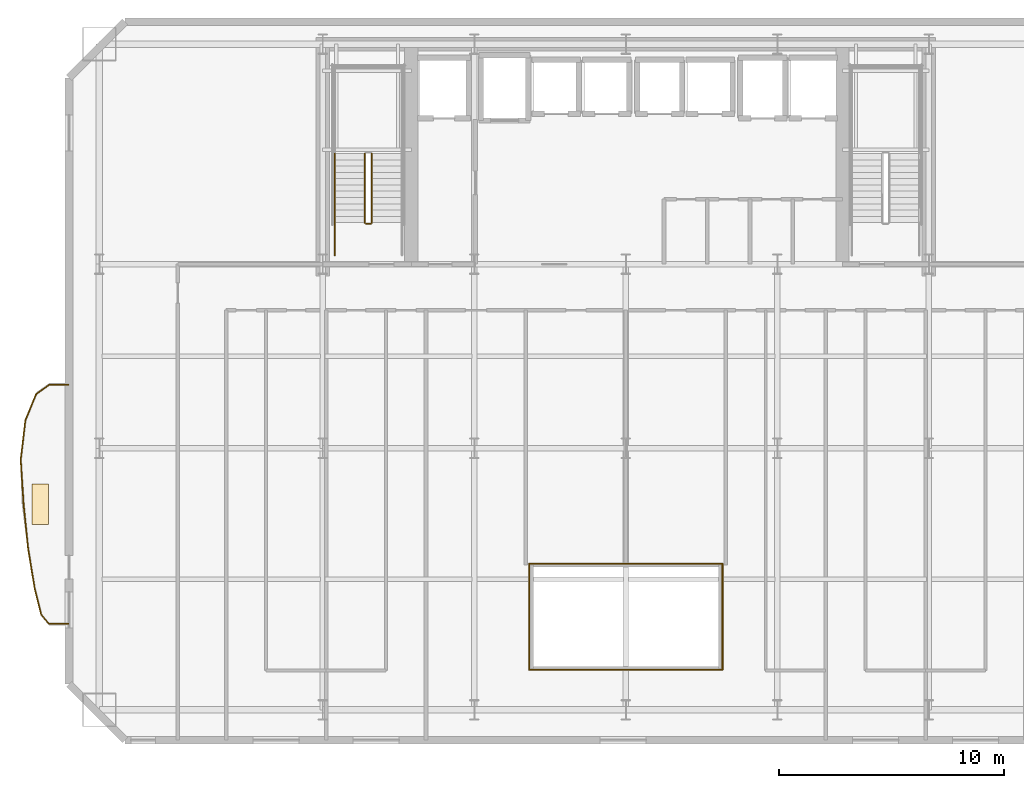
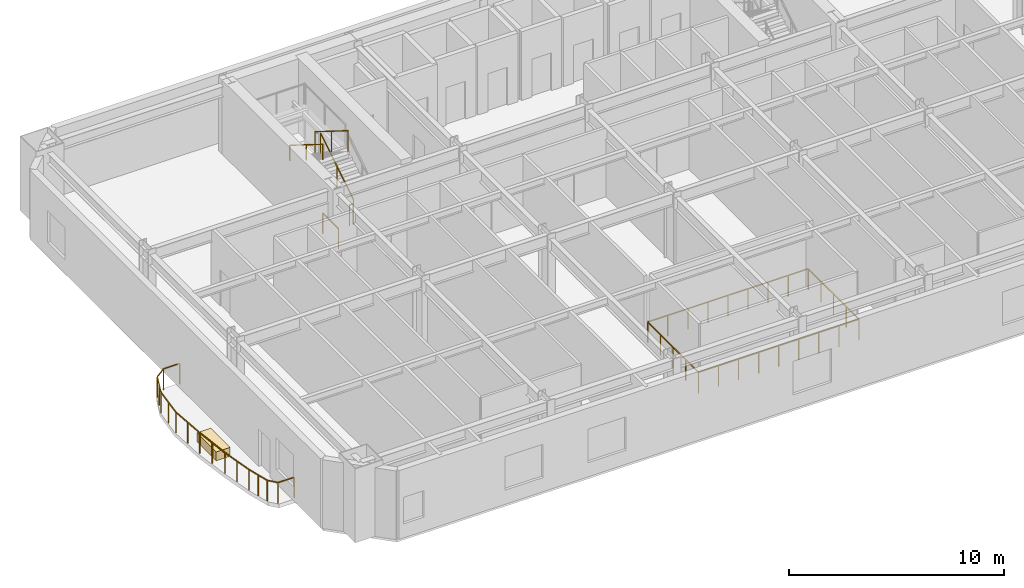
# One storey, part 11 of 15: 19 railings, 1 covering.
"""IFC4 building model written with IfcOpenShell, lengths in metres."""

from ifc_helpers import new_model, si_unit, direction, frame, origin, origin_2d, place, context, subcontext, project, spatial, rectangle, extrude, material, layer, layer_set, type_object, element, save


model = new_model("IFC4")

# Units and contexts
model_context = context("Model", 3, precision=1e-05, world=origin(), true_north=direction((0.0, 1.0)))
body_context = subcontext(model_context, "Body", "Model", "MODEL_VIEW")
ifc_project = project(units=[si_unit("LENGTHUNIT", "METRE"), si_unit("AREAUNIT", "SQUARE_METRE"), si_unit("VOLUMEUNIT", "CUBIC_METRE"), si_unit("PLANEANGLEUNIT", "RADIAN"), si_unit("MASSUNIT", "GRAM", prefix="KILO")], contexts=[model_context])

# Site, building, storey
site_placement = place(None, origin())
site = spatial("IfcSite", under=ifc_project, at=site_placement, CompositionType="ELEMENT")
building_placement = place(site_placement, origin())
building = spatial("IfcBuilding", under=site, at=building_placement, Name="Haevon Station Towers", CompositionType="ELEMENT")
storey_placement = place(building_placement, frame((0.0, 0.0, 77.699951171875)))
storey = spatial("IfcBuildingStorey", under=building, at=storey_placement, Name="L20", CompositionType="ELEMENT", Elevation=77.699951171875)

# Railings
ifc_material_1 = material(Name="Steel S355", Category="steel")
railing_type_1 = type_object("IfcRailingType", Name="BAL-ATR1200", PredefinedType="BALUSTRADE", material=ifc_material_1)
railing_1_placement = place(storey_placement, frame((33.19482421875, 20.142333984375, 0.0)))
element("IfcRailing", 1, at=railing_1_placement, inside=storey, type_object=railing_type_1, Name="L20 Atrium Void Balustrade 1", PredefinedType="BALUSTRADE", context=body_context, shape_type="SweptSolid", body=[
    extrude(rectangle(XDim=0.048095703125, YDim=0.048095703125, at=origin_2d()), frame((0.0, 0.0, 1.17578125), z_axis=(1.0, 0.0, 0.0), x_axis=(0.0, 1.0, 0.0)), (0.0, 0.0, 1.0), 8.6103515625),
    extrude(rectangle(XDim=0.0419921875, YDim=0.0419921875, at=origin_2d()), origin(), (0.0, 0.0, 1.0), 1.15185546875),
    extrude(rectangle(XDim=0.0419921875, YDim=0.0419921875, at=origin_2d()), frame((1.076171875, 0.0, 0.0)), (0.0, 0.0, 1.0), 1.15185546875),
    extrude(rectangle(XDim=0.0419921875, YDim=0.0419921875, at=origin_2d()), frame((2.152587890625, 0.0, 0.0)), (0.0, 0.0, 1.0), 1.15185546875),
    extrude(rectangle(XDim=0.0419921875, YDim=0.0419921875, at=origin_2d()), frame((3.22900390625, 0.0, 0.0)), (0.0, 0.0, 1.0), 1.15185546875),
    extrude(rectangle(XDim=0.0419921875, YDim=0.0419921875, at=origin_2d()), frame((4.30517578125, 0.0, 0.0)), (0.0, 0.0, 1.0), 1.15185546875),
    extrude(rectangle(XDim=0.0419921875, YDim=0.0419921875, at=origin_2d()), frame((5.38134765625, 0.0, 0.0)), (0.0, 0.0, 1.0), 1.15185546875),
    extrude(rectangle(XDim=0.0419921875, YDim=0.0419921875, at=origin_2d()), frame((6.457763671875, 0.0, 0.0)), (0.0, 0.0, 1.0), 1.15185546875),
    extrude(rectangle(XDim=0.0419921875, YDim=0.0419921875, at=origin_2d()), frame((7.5341796875, 0.0, 0.0)), (0.0, 0.0, 1.0), 1.15185546875),
    extrude(rectangle(XDim=0.0419921875, YDim=0.0419921875, at=origin_2d()), frame((8.6103515625, 0.0, 0.0)), (0.0, 0.0, 1.0), 1.15185546875),
])
railing_2_placement = place(storey_placement, frame((41.80517578125, 20.142333984375, 0.0)))
element("IfcRailing", 2, at=railing_2_placement, inside=storey, type_object=railing_type_1, Name="L20 Atrium Void Balustrade 2", PredefinedType="BALUSTRADE", context=body_context, shape_type="SweptSolid", body=[
    extrude(rectangle(XDim=0.048095703125, YDim=0.048095703125, at=origin_2d()), frame((0.0, 0.0, 1.17578125), z_axis=(0.0, 1.0, 0.0), x_axis=(-1.0, 0.0, 0.0)), (0.0, 0.0, 1.0), 4.71533203125),
    extrude(rectangle(XDim=0.0419921875, YDim=0.0419921875, at=origin_2d()), origin(), (0.0, 0.0, 1.0), 1.15185546875),
    extrude(rectangle(XDim=0.0419921875, YDim=0.0419921875, at=origin_2d()), frame((0.0, 1.1787109375, 0.0)), (0.0, 0.0, 1.0), 1.15185546875),
    extrude(rectangle(XDim=0.0419921875, YDim=0.0419921875, at=origin_2d()), frame((0.0, 2.357666015625, 0.0)), (0.0, 0.0, 1.0), 1.15185546875),
    extrude(rectangle(XDim=0.0419921875, YDim=0.0419921875, at=origin_2d()), frame((0.0, 3.53662109375, 0.0)), (0.0, 0.0, 1.0), 1.15185546875),
    extrude(rectangle(XDim=0.0419921875, YDim=0.0419921875, at=origin_2d()), frame((0.0, 4.71533203125, 0.0)), (0.0, 0.0, 1.0), 1.15185546875),
])
railing_3_placement = place(storey_placement, frame((41.80517578125, 24.857666015625, 0.0)))
element("IfcRailing", 3, at=railing_3_placement, inside=storey, type_object=railing_type_1, Name="L20 Atrium Void Balustrade 3", PredefinedType="BALUSTRADE", context=body_context, shape_type="SweptSolid", body=[
    extrude(rectangle(XDim=0.048095703125, YDim=0.048095703125, at=origin_2d()), frame((0.0, 0.0, 1.17578125), z_axis=(-1.0, 0.0, 0.0), x_axis=(0.0, -1.0, 0.0)), (0.0, 0.0, 1.0), 8.6103515625),
    extrude(rectangle(XDim=0.0419921875, YDim=0.0419921875, at=origin_2d()), origin(), (0.0, 0.0, 1.0), 1.15185546875),
    extrude(rectangle(XDim=0.0419921875, YDim=0.0419921875, at=origin_2d()), frame((-1.076171875, 0.0, 0.0)), (0.0, 0.0, 1.0), 1.15185546875),
    extrude(rectangle(XDim=0.0419921875, YDim=0.0419921875, at=origin_2d()), frame((-2.152587890625, 0.0, 0.0)), (0.0, 0.0, 1.0), 1.15185546875),
    extrude(rectangle(XDim=0.0419921875, YDim=0.0419921875, at=origin_2d()), frame((-3.22900390625, 0.0, 0.0)), (0.0, 0.0, 1.0), 1.15185546875),
    extrude(rectangle(XDim=0.0419921875, YDim=0.0419921875, at=origin_2d()), frame((-4.30517578125, 0.0, 0.0)), (0.0, 0.0, 1.0), 1.15185546875),
    extrude(rectangle(XDim=0.0419921875, YDim=0.0419921875, at=origin_2d()), frame((-5.38134765625, 0.0, 0.0)), (0.0, 0.0, 1.0), 1.15185546875),
    extrude(rectangle(XDim=0.0419921875, YDim=0.0419921875, at=origin_2d()), frame((-6.457763671875, 0.0, 0.0)), (0.0, 0.0, 1.0), 1.15185546875),
    extrude(rectangle(XDim=0.0419921875, YDim=0.0419921875, at=origin_2d()), frame((-7.5341796875, 0.0, 0.0)), (0.0, 0.0, 1.0), 1.15185546875),
    extrude(rectangle(XDim=0.0419921875, YDim=0.0419921875, at=origin_2d()), frame((-8.6103515625, 0.0, 0.0)), (0.0, 0.0, 1.0), 1.15185546875),
])
railing_4_placement = place(storey_placement, frame((33.19482421875, 24.857666015625, 0.0)))
element("IfcRailing", 4, at=railing_4_placement, inside=storey, type_object=railing_type_1, Name="L20 Atrium Void Balustrade 4", PredefinedType="BALUSTRADE", context=body_context, shape_type="SweptSolid", body=[
    extrude(rectangle(XDim=0.048095703125, YDim=0.048095703125, at=origin_2d()), frame((0.0, 0.0, 1.17578125), z_axis=(0.0, -1.0, 0.0), x_axis=(1.0, 0.0, 0.0)), (0.0, 0.0, 1.0), 4.71533203125),
    extrude(rectangle(XDim=0.0419921875, YDim=0.0419921875, at=origin_2d()), origin(), (0.0, 0.0, 1.0), 1.15185546875),
    extrude(rectangle(XDim=0.0419921875, YDim=0.0419921875, at=origin_2d()), frame((0.0, -1.1787109375, 0.0)), (0.0, 0.0, 1.0), 1.15185546875),
    extrude(rectangle(XDim=0.0419921875, YDim=0.0419921875, at=origin_2d()), frame((0.0, -2.357666015625, 0.0)), (0.0, 0.0, 1.0), 1.15185546875),
    extrude(rectangle(XDim=0.0419921875, YDim=0.0419921875, at=origin_2d()), frame((0.0, -3.53662109375, 0.0)), (0.0, 0.0, 1.0), 1.15185546875),
    extrude(rectangle(XDim=0.0419921875, YDim=0.0419921875, at=origin_2d()), frame((0.0, -4.71533203125, 0.0)), (0.0, 0.0, 1.0), 1.15185546875),
])
railing_type_2 = type_object("IfcRailingType", Name="GRD-EXT1200", PredefinedType="GUARDRAIL", material=ifc_material_1)
railing_5_placement = place(storey_placement, frame((12.676513671875, 32.822265625, 0.0)))
element("IfcRailing", 5, at=railing_5_placement, inside=storey, type_object=railing_type_2, Name="L20 Perimeter Guardrail 1", PredefinedType="GUARDRAIL", context=body_context, shape_type="SweptSolid", body=[
    extrude(rectangle(XDim=0.048095703125, YDim=0.048095703125, at=origin_2d()), frame((0.0, 0.0, 1.17578125), z_axis=(-0.999997476494, -0.002246554286, 0.0), x_axis=(0.002246554286, -0.999997476494, 0.0)), (0.0, 0.0, 1.0), 0.869384765625),
    extrude(rectangle(XDim=0.0419921875, YDim=0.0419921875, at=origin_2d()), origin(), (0.0, 0.0, 1.0), 1.15185546875),
    extrude(rectangle(XDim=0.0419921875, YDim=0.0419921875, at=origin_2d()), frame((-0.869384765625, -0.001953125, 0.0)), (0.0, 0.0, 1.0), 1.15185546875),
])
railing_6_placement = place(storey_placement, frame((11.80712890625, 32.8203125, 0.0)))
element("IfcRailing", 6, at=railing_6_placement, inside=storey, type_object=railing_type_2, Name="L20 Perimeter Guardrail 2", PredefinedType="GUARDRAIL", context=body_context, shape_type="SweptSolid", body=[
    extrude(rectangle(XDim=0.048095703125, YDim=0.048095703125, at=origin_2d()), frame((0.0, 0.0, 1.17578125), z_axis=(-0.812092296848, -0.583529006477, 0.0), x_axis=(0.583529006477, -0.812092296848, 0.0)), (0.0, 0.0, 1.0), 0.705078125),
    extrude(rectangle(XDim=0.0419921875, YDim=0.0419921875, at=origin_2d()), origin(), (0.0, 0.0, 1.0), 1.15185546875),
    extrude(rectangle(XDim=0.0419921875, YDim=0.0419921875, at=origin_2d()), frame((-0.572509765625, -0.411376953125, 0.0)), (0.0, 0.0, 1.0), 1.15185546875),
])
railing_7_placement = place(storey_placement, frame((11.234619140625, 32.408935546875, 0.0)))
element("IfcRailing", 7, at=railing_7_placement, inside=storey, type_object=railing_type_2, Name="L20 Perimeter Guardrail 3", PredefinedType="GUARDRAIL", context=body_context, shape_type="SweptSolid", body=[
    extrude(rectangle(XDim=0.048095703125, YDim=0.048095703125, at=origin_2d()), frame((0.0, 0.0, 1.17578125), z_axis=(-0.379369817486, -0.925245125132, 0.0), x_axis=(0.925245125132, -0.379369817486, 0.0)), (0.0, 0.0, 1.0), 1.263916015625),
    extrude(rectangle(XDim=0.0419921875, YDim=0.0419921875, at=origin_2d()), origin(), (0.0, 0.0, 1.0), 1.15185546875),
    extrude(rectangle(XDim=0.0419921875, YDim=0.0419921875, at=origin_2d()), frame((-0.23974609375, -0.584716796875, 0.0)), (0.0, 0.0, 1.0), 1.15185546875),
    extrude(rectangle(XDim=0.0419921875, YDim=0.0419921875, at=origin_2d()), frame((-0.4794921875, -1.16943359375, 0.0)), (0.0, 0.0, 1.0), 1.15185546875),
])
railing_8_placement = place(storey_placement, frame((10.755126953125, 31.239501953125, 0.0)))
element("IfcRailing", 8, at=railing_8_placement, inside=storey, type_object=railing_type_2, Name="L20 Perimeter Guardrail 4", PredefinedType="GUARDRAIL", context=body_context, shape_type="SweptSolid", body=[
    extrude(rectangle(XDim=0.048095703125, YDim=0.048095703125, at=origin_2d()), frame((0.0, 0.0, 1.17578125), z_axis=(-0.117727244711, -0.99304596865, 0.0), x_axis=(0.99304596865, -0.117727244711, 0.0)), (0.0, 0.0, 1.0), 1.758544921875),
    extrude(rectangle(XDim=0.0419921875, YDim=0.0419921875, at=origin_2d()), origin(), (0.0, 0.0, 1.0), 1.15185546875),
    extrude(rectangle(XDim=0.0419921875, YDim=0.0419921875, at=origin_2d()), frame((-0.103515625, -0.873046875, 0.0)), (0.0, 0.0, 1.0), 1.15185546875),
    extrude(rectangle(XDim=0.0419921875, YDim=0.0419921875, at=origin_2d()), frame((-0.20703125, -1.746337890625, 0.0)), (0.0, 0.0, 1.0), 1.15185546875),
])
railing_9_placement = place(storey_placement, frame((10.548095703125, 29.4931640625, 0.0)))
element("IfcRailing", 9, at=railing_9_placement, inside=storey, type_object=railing_type_2, Name="L20 Perimeter Guardrail 5", PredefinedType="GUARDRAIL", context=body_context, shape_type="SweptSolid", body=[
    extrude(rectangle(XDim=0.048095703125, YDim=0.048095703125, at=origin_2d()), frame((0.0, 0.0, 1.17578125), z_axis=(0.06356545678, -0.997977671446, 0.0), x_axis=(0.997977671446, 0.06356545678, 0.0)), (0.0, 0.0, 1.0), 1.997314453125),
    extrude(rectangle(XDim=0.0419921875, YDim=0.0419921875, at=origin_2d()), origin(), (0.0, 0.0, 1.0), 1.15185546875),
    extrude(rectangle(XDim=0.0419921875, YDim=0.0419921875, at=origin_2d()), frame((0.0634765625, -0.99658203125, 0.0)), (0.0, 0.0, 1.0), 1.15185546875),
    extrude(rectangle(XDim=0.0419921875, YDim=0.0419921875, at=origin_2d()), frame((0.126953125, -1.9931640625, 0.0)), (0.0, 0.0, 1.0), 1.15185546875),
])
railing_10_placement = place(storey_placement, frame((10.675048828125, 27.5, 0.0)))
element("IfcRailing", 10, at=railing_10_placement, inside=storey, type_object=railing_type_2, Name="L20 Perimeter Guardrail 6", PredefinedType="GUARDRAIL", context=body_context, shape_type="SweptSolid", body=[
    extrude(rectangle(XDim=0.048095703125, YDim=0.048095703125, at=origin_2d()), frame((0.0, 0.0, 1.17578125), z_axis=(0.102549270738, -0.994727926154, 0.0), x_axis=(0.994727926154, 0.102549270738, 0.0)), (0.0, 0.0, 1.0), 1.999755859375),
    extrude(rectangle(XDim=0.0419921875, YDim=0.0419921875, at=origin_2d()), origin(), (0.0, 0.0, 1.0), 1.15185546875),
    extrude(rectangle(XDim=0.0419921875, YDim=0.0419921875, at=origin_2d()), frame((0.1025390625, -0.99462890625, 0.0)), (0.0, 0.0, 1.0), 1.15185546875),
    extrude(rectangle(XDim=0.0419921875, YDim=0.0419921875, at=origin_2d()), frame((0.205078125, -1.9892578125, 0.0)), (0.0, 0.0, 1.0), 1.15185546875),
])
railing_11_placement = place(storey_placement, frame((10.880126953125, 25.5107421875, 0.0)))
element("IfcRailing", 11, at=railing_11_placement, inside=storey, type_object=railing_type_2, Name="L20 Perimeter Guardrail 7", PredefinedType="GUARDRAIL", context=body_context, shape_type="SweptSolid", body=[
    extrude(rectangle(XDim=0.048095703125, YDim=0.048095703125, at=origin_2d()), frame((0.0, 0.0, 1.17578125), z_axis=(0.162232317079, -0.986752590721, 0.0), x_axis=(0.986752590721, 0.162232317079, 0.0)), (0.0, 0.0, 1.0), 1.772705078125),
    extrude(rectangle(XDim=0.0419921875, YDim=0.0419921875, at=origin_2d()), origin(), (0.0, 0.0, 1.0), 1.15185546875),
    extrude(rectangle(XDim=0.0419921875, YDim=0.0419921875, at=origin_2d()), frame((0.143798828125, -0.87451171875, 0.0)), (0.0, 0.0, 1.0), 1.15185546875),
    extrude(rectangle(XDim=0.0419921875, YDim=0.0419921875, at=origin_2d()), frame((0.28759765625, -1.749267578125, 0.0)), (0.0, 0.0, 1.0), 1.15185546875),
])
railing_12_placement = place(storey_placement, frame((11.167724609375, 23.761474609375, 0.0)))
element("IfcRailing", 12, at=railing_12_placement, inside=storey, type_object=railing_type_2, Name="L20 Perimeter Guardrail 8", PredefinedType="GUARDRAIL", context=body_context, shape_type="SweptSolid", body=[
    extrude(rectangle(XDim=0.048095703125, YDim=0.048095703125, at=origin_2d()), frame((0.0, 0.0, 1.17578125), z_axis=(0.243392420276, -0.969927899254, 0.0), x_axis=(0.969927899254, 0.243392420276, 0.0)), (0.0, 0.0, 1.0), 1.206787109375),
    extrude(rectangle(XDim=0.0419921875, YDim=0.0419921875, at=origin_2d()), origin(), (0.0, 0.0, 1.0), 1.15185546875),
    extrude(rectangle(XDim=0.0419921875, YDim=0.0419921875, at=origin_2d()), frame((0.14697265625, -0.585205078125, 0.0)), (0.0, 0.0, 1.0), 1.15185546875),
    extrude(rectangle(XDim=0.0419921875, YDim=0.0419921875, at=origin_2d()), frame((0.293701171875, -1.17041015625, 0.0)), (0.0, 0.0, 1.0), 1.15185546875),
])
railing_13_placement = place(storey_placement, frame((11.46142578125, 22.591064453125, 0.0)))
element("IfcRailing", 13, at=railing_13_placement, inside=storey, type_object=railing_type_2, Name="L20 Perimeter Guardrail 9", PredefinedType="GUARDRAIL", context=body_context, shape_type="SweptSolid", body=[
    extrude(rectangle(XDim=0.048095703125, YDim=0.048095703125, at=origin_2d()), frame((0.0, 0.0, 1.17578125), z_axis=(0.643351902816, -0.765570590568, 0.0), x_axis=(0.765570590568, 0.643351902816, 0.0)), (0.0, 0.0, 1.0), 0.537353515625),
    extrude(rectangle(XDim=0.0419921875, YDim=0.0419921875, at=origin_2d()), origin(), (0.0, 0.0, 1.0), 1.15185546875),
    extrude(rectangle(XDim=0.0419921875, YDim=0.0419921875, at=origin_2d()), frame((0.345703125, -0.411376953125, 0.0)), (0.0, 0.0, 1.0), 1.15185546875),
])
railing_14_placement = place(storey_placement, frame((11.80712890625, 22.1796875, 0.0)))
element("IfcRailing", 14, at=railing_14_placement, inside=storey, type_object=railing_type_2, Name="L20 Perimeter Guardrail 10", PredefinedType="GUARDRAIL", context=body_context, shape_type="SweptSolid", body=[
    extrude(rectangle(XDim=0.048095703125, YDim=0.048095703125, at=origin_2d()), frame((0.0, 0.0, 1.17578125), z_axis=(0.999997476494, -0.002246554286, 0.0), x_axis=(0.002246554286, 0.999997476494, 0.0)), (0.0, 0.0, 1.0), 0.869384765625),
    extrude(rectangle(XDim=0.0419921875, YDim=0.0419921875, at=origin_2d()), origin(), (0.0, 0.0, 1.0), 1.15185546875),
    extrude(rectangle(XDim=0.0419921875, YDim=0.0419921875, at=origin_2d()), frame((0.869384765625, -0.001953125, 0.0)), (0.0, 0.0, 1.0), 1.15185546875),
])
railing_type_3 = type_object("IfcRailingType", Name="GRD-STR1200", PredefinedType="GUARDRAIL", material=ifc_material_1)
railing_15_placement = place(storey_placement, frame((26.179931640625, 40.050048828125, 0.175048828125)))
element("IfcRailing", 15, at=railing_15_placement, inside=storey, type_object=railing_type_3, Name="L20 ST1 Stair Guard 1", PredefinedType="GUARDRAIL", context=body_context, shape_type="SweptSolid", body=[
    extrude(rectangle(XDim=0.048095703125, YDim=0.048095703125, at=origin_2d()), frame((0.0, 0.0, 1.17578125), z_axis=(0.0, 0.847979421464, 0.530029150871), x_axis=(-1.0, 0.0, 0.0)), (0.0, 0.0, 1.0), 3.632080078125),
    extrude(rectangle(XDim=0.0419921875, YDim=0.0419921875, at=origin_2d()), origin(), (0.0, 0.0, 1.0), 1.15185546875),
    extrude(rectangle(XDim=0.0419921875, YDim=0.0419921875, at=origin_2d()), frame((0.0, 1.5400390625, 0.96240234375)), (0.0, 0.0, 1.0), 1.15185546875),
    extrude(rectangle(XDim=0.0419921875, YDim=0.0419921875, at=origin_2d()), frame((0.0, 3.079833984375, 1.925048828125)), (0.0, 0.0, 1.0), 1.15185546875),
])
railing_16_placement = place(storey_placement, frame((25.8798828125, 43.1298828125, 2.275146484375)))
element("IfcRailing", 16, at=railing_16_placement, inside=storey, type_object=railing_type_3, Name="L20 ST1 Stair Guard 6", PredefinedType="GUARDRAIL", context=body_context, shape_type="SweptSolid", body=[
    extrude(rectangle(XDim=0.048095703125, YDim=0.048095703125, at=origin_2d()), frame((0.0, 0.0, 1.17578125), z_axis=(0.0, -0.848009633417, 0.529980812513), x_axis=(1.0, 0.0, 0.0)), (0.0, 0.0, 1.0), 3.6318359375),
    extrude(rectangle(XDim=0.0419921875, YDim=0.0419921875, at=origin_2d()), origin(), (0.0, 0.0, 1.0), 1.15185546875),
    extrude(rectangle(XDim=0.0419921875, YDim=0.0419921875, at=origin_2d()), frame((0.0, -1.5400390625, 0.96240234375)), (0.0, 0.0, 1.0), 1.15185546875),
    extrude(rectangle(XDim=0.0419921875, YDim=0.0419921875, at=origin_2d()), frame((0.0, -3.079833984375, 1.9248046875)), (0.0, 0.0, 1.0), 1.15185546875),
])
railing_17_placement = place(storey_placement, frame((26.1298828125, 40.0, 0.0)))
element("IfcRailing", 17, at=railing_17_placement, inside=storey, type_object=railing_type_3, Name="L20 ST1 Stair Guard 7", PredefinedType="GUARDRAIL", context=body_context, shape_type="SweptSolid", body=[
    extrude(rectangle(XDim=0.048095703125, YDim=0.048095703125, at=origin_2d()), frame((0.0, 0.0, 1.17578125), z_axis=(-1.0, 0.0, 0.0), x_axis=(0.0, -1.0, 0.0)), (0.0, 0.0, 1.0), 0.199951171875),
    extrude(rectangle(XDim=0.0419921875, YDim=0.0419921875, at=origin_2d()), origin(), (0.0, 0.0, 1.0), 1.15185546875),
    extrude(rectangle(XDim=0.0419921875, YDim=0.0419921875, at=origin_2d()), frame((-0.199951171875, 0.0, 0.0)), (0.0, 0.0, 1.0), 1.15185546875),
])
railing_18_placement = place(storey_placement, frame((24.530029296875, 38.60009765625, 0.0)))
element("IfcRailing", 18, at=railing_18_placement, inside=storey, type_object=railing_type_3, Name="L20 ST1 Stair Guard 9", PredefinedType="GUARDRAIL", context=body_context, shape_type="SweptSolid", body=[
    extrude(rectangle(XDim=0.048095703125, YDim=0.048095703125, at=origin_2d()), frame((0.0, 0.0, 1.17578125), z_axis=(0.0, 1.0, 0.0), x_axis=(-1.0, 0.0, 0.0)), (0.0, 0.0, 1.0), 1.449951171875),
    extrude(rectangle(XDim=0.0419921875, YDim=0.0419921875, at=origin_2d()), origin(), (0.0, 0.0, 1.0), 1.15185546875),
    extrude(rectangle(XDim=0.0419921875, YDim=0.0419921875, at=origin_2d()), frame((0.0, 1.449951171875, 0.0)), (0.0, 0.0, 1.0), 1.15185546875),
])
railing_type_4 = type_object("IfcRailingType", Name="HND-STR900", PredefinedType="HANDRAIL", material=ifc_material_1)
railing_19_placement = place(storey_placement, frame((24.530029296875, 43.1298828125, 2.275146484375)))
element("IfcRailing", 19, at=railing_19_placement, inside=storey, type_object=railing_type_4, Name="L20 ST1 Stair Handrail 2", PredefinedType="HANDRAIL", context=body_context, shape_type="SweptSolid", body=[
    extrude(rectangle(XDim=0.048095703125, YDim=0.048095703125, at=origin_2d()), frame((0.0, 0.0, 0.8759765625), z_axis=(0.0, -0.848009633417, 0.529980812513), x_axis=(1.0, 0.0, 0.0)), (0.0, 0.0, 1.0), 3.6318359375),
    extrude(rectangle(XDim=0.0419921875, YDim=0.0419921875, at=origin_2d()), origin(), (0.0, 0.0, 1.0), 0.851806640625),
    extrude(rectangle(XDim=0.0419921875, YDim=0.0419921875, at=origin_2d()), frame((0.0, -1.5400390625, 0.96240234375)), (0.0, 0.0, 1.0), 0.851806640625),
    extrude(rectangle(XDim=0.0419921875, YDim=0.0419921875, at=origin_2d()), frame((0.0, -3.079833984375, 1.9248046875)), (0.0, 0.0, 1.0), 0.851806640625),
])

# Covering
ifc_material_2 = material(Name="Architectural planter GRC", Category="concrete")
ifc_layer = layer(ifc_material_2, 0.550048828125)
ifc_layer_set = layer_set([ifc_layer], Name="Architectural planter GRC")
covering_type = type_object("IfcCoveringType", Name="PLN-GRC550", PredefinedType="MOLDING", material=ifc_layer_set)
covering_placement = place(storey_placement, frame((11.416748046875, 27.5, 0.0), z_axis=(0.0, 0.0, 1.0), x_axis=(1.0, 0.0, 0.0)))
element("IfcCovering", 20, at=covering_placement, inside=storey, type_object=covering_type, Name="Tower 1 L20 Scalloped Balcony PLANTER", PredefinedType="MOLDING", context=body_context, shape_type="SweptSolid", body=[
    extrude(rectangle(XDim=0.75, YDim=1.800048828125, at=origin_2d()), origin(), (0.0, 0.0, 1.0), 0.5),
])

save(model, "model.ifc")
